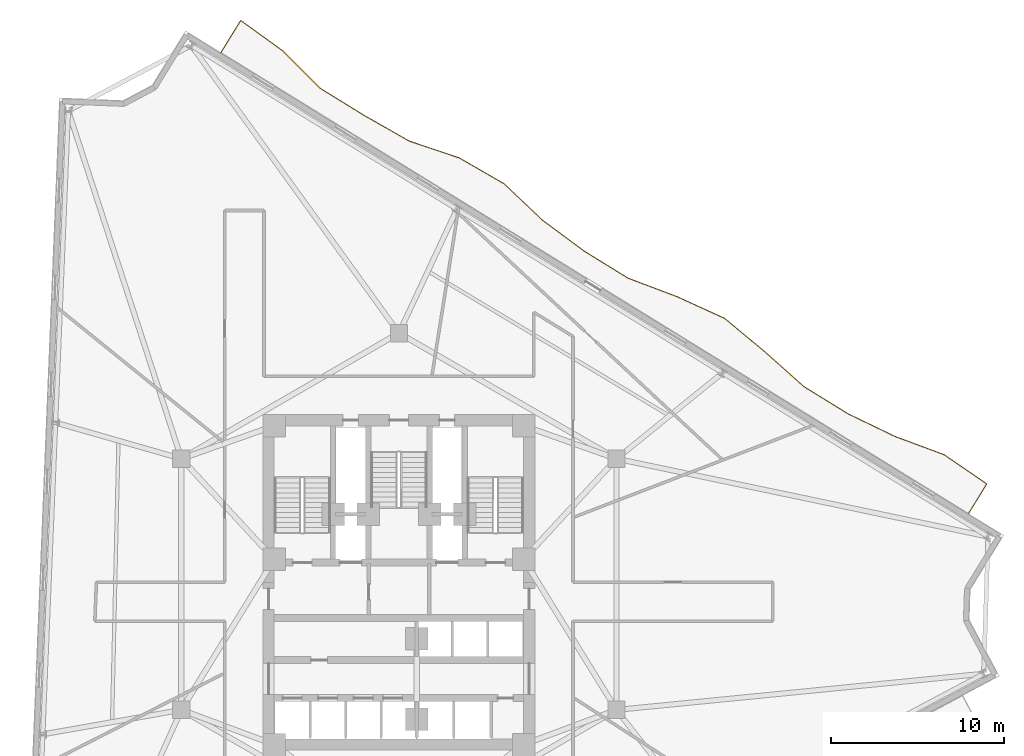
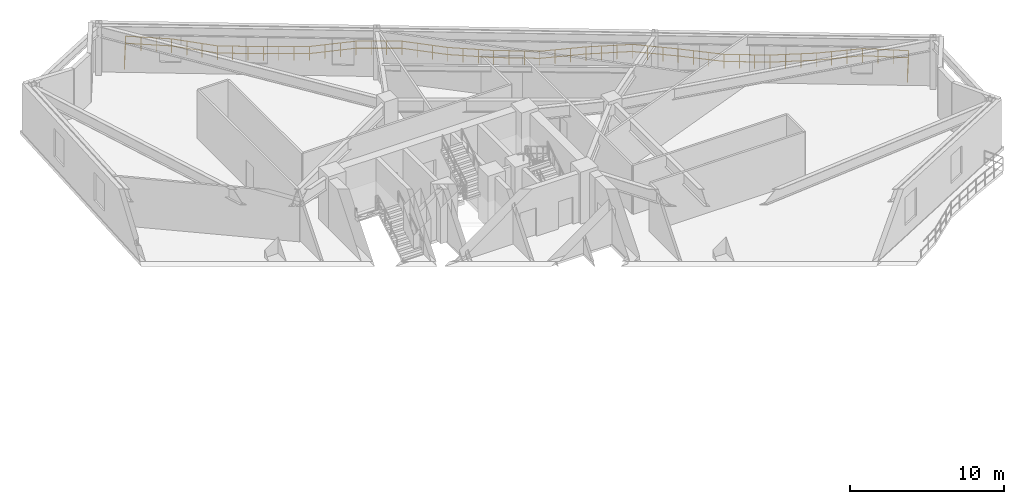
# One storey, part 11 of 11: 1 railing.
"""IFC4 building model written with IfcOpenShell, lengths in metres."""

from ifc_helpers import new_model, si_unit, direction, frame, origin, origin_2d, place, context, subcontext, project, spatial, rectangle, extrude, material, type_object, element, save


model = new_model("IFC4")

# Units and contexts
model_context = context("Model", 3, precision=1e-05, world=origin(), true_north=direction((0.0, 1.0)))
body_context = subcontext(model_context, "Body", "Model", "MODEL_VIEW")
ifc_project = project(units=[si_unit("LENGTHUNIT", "METRE"), si_unit("AREAUNIT", "SQUARE_METRE"), si_unit("VOLUMEUNIT", "CUBIC_METRE"), si_unit("PLANEANGLEUNIT", "RADIAN"), si_unit("MASSUNIT", "GRAM", prefix="KILO")], contexts=[model_context])

# Site, building, storey
site_placement = place(None, origin())
site = spatial("IfcSite", under=ifc_project, at=site_placement, CompositionType="ELEMENT")
building_placement = place(site_placement, origin())
building = spatial("IfcBuilding", under=site, at=building_placement, Name="Apsidion Concourse Tower", CompositionType="ELEMENT")
storey_placement = place(building_placement, frame((0.0, 0.0, 186.0)))
storey = spatial("IfcBuildingStorey", under=building, at=storey_placement, Name="L43", CompositionType="ELEMENT", Elevation=186.0)

# Railing
ifc_material = material(Name="Brushed stainless steel 316", Category="steel")
railing_type = type_object("IfcRailingType", Name="RL-BAL-1120", PredefinedType="BALUSTRADE", material=ifc_material)
railing_placement = place(storey_placement, frame((-10.277587890625, 30.70458984375, 0.0)))
element("IfcRailing", 1, at=railing_placement, inside=storey, type_object=railing_type, Name="L43 Face 3 Rippling Balcony Balustrade", PredefinedType="BALUSTRADE", context=body_context, shape_type="SweptSolid", body=[
    extrude(rectangle(XDim=0.048095703125, YDim=0.048095703125, at=origin_2d()), frame((0.0, 0.0, 1.09619140625), z_axis=(0.524923945921, 0.85114913558, 0.0), x_axis=(-0.85114913558, 0.524923945921, 0.0)), (0.0, 0.0, 1.0), 2.1748046875),
    extrude(rectangle(XDim=0.048095703125, YDim=0.048095703125, at=origin_2d()), frame((0.0, 0.0, 0.5361328125), z_axis=(0.524923945921, 0.85114913558, 0.0), x_axis=(-0.85114913558, 0.524923945921, 0.0)), (0.0, 0.0, 1.0), 2.1748046875),
    extrude(rectangle(XDim=0.048095703125, YDim=0.048095703125, at=origin_2d()), frame((1.1416015625, 1.85107421875, 1.09619140625), z_axis=(0.810827725305, -0.585284887792, 0.0), x_axis=(0.585284887792, 0.810827725305, 0.0)), (0.0, 0.0, 1.0), 2.99072265625),
    extrude(rectangle(XDim=0.048095703125, YDim=0.048095703125, at=origin_2d()), frame((1.1416015625, 1.85107421875, 0.5361328125), z_axis=(0.810827725305, -0.585284887792, 0.0), x_axis=(0.585284887792, 0.810827725305, 0.0)), (0.0, 0.0, 1.0), 2.99072265625),
    extrude(rectangle(XDim=0.048095703125, YDim=0.048095703125, at=origin_2d()), frame((3.566650390625, 0.1005859375, 1.09619140625), z_axis=(0.70698732066, -0.707226221534, 0.0), x_axis=(0.707226221534, 0.70698732066, 0.0)), (0.0, 0.0, 1.0), 3.06591796875),
    extrude(rectangle(XDim=0.048095703125, YDim=0.048095703125, at=origin_2d()), frame((3.566650390625, 0.1005859375, 0.5361328125), z_axis=(0.70698732066, -0.707226221534, 0.0), x_axis=(0.707226221534, 0.70698732066, 0.0)), (0.0, 0.0, 1.0), 3.06591796875),
    extrude(rectangle(XDim=0.048095703125, YDim=0.048095703125, at=origin_2d()), frame((5.734130859375, -2.067626953125, 1.09619140625), z_axis=(0.851183058053, -0.524868937625, 0.0), x_axis=(0.524868937625, 0.851183058053, 0.0)), (0.0, 0.0, 1.0), 2.98291015625),
    extrude(rectangle(XDim=0.048095703125, YDim=0.048095703125, at=origin_2d()), frame((5.734130859375, -2.067626953125, 0.5361328125), z_axis=(0.851183058053, -0.524868937625, 0.0), x_axis=(0.524868937625, 0.851183058053, 0.0)), (0.0, 0.0, 1.0), 2.98291015625),
    extrude(rectangle(XDim=0.048095703125, YDim=0.048095703125, at=origin_2d()), frame((8.273193359375, -3.63330078125, 1.09619140625), z_axis=(0.868977075287, -0.494852344266, 0.0), x_axis=(0.494852344266, 0.868977075287, 0.0)), (0.0, 0.0, 1.0), 2.98486328125),
    extrude(rectangle(XDim=0.048095703125, YDim=0.048095703125, at=origin_2d()), frame((8.273193359375, -3.63330078125, 0.5361328125), z_axis=(0.868977075287, -0.494852344266, 0.0), x_axis=(0.494852344266, 0.868977075287, 0.0)), (0.0, 0.0, 1.0), 2.98486328125),
    extrude(rectangle(XDim=0.048095703125, YDim=0.048095703125, at=origin_2d()), frame((10.866943359375, -5.1103515625, 1.09619140625), z_axis=(0.947609390008, -0.319431438604, 0.0), x_axis=(0.319431438604, 0.947609390008, 0.0)), (0.0, 0.0, 1.0), 3.061767578125),
    extrude(rectangle(XDim=0.048095703125, YDim=0.048095703125, at=origin_2d()), frame((10.866943359375, -5.1103515625, 0.5361328125), z_axis=(0.947609390008, -0.319431438604, 0.0), x_axis=(0.319431438604, 0.947609390008, 0.0)), (0.0, 0.0, 1.0), 3.061767578125),
    extrude(rectangle(XDim=0.048095703125, YDim=0.048095703125, at=origin_2d()), frame((13.768310546875, -6.08837890625, 1.09619140625), z_axis=(0.865907597067, -0.50020399173, 0.0), x_axis=(0.50020399173, 0.865907597067, 0.0)), (0.0, 0.0, 1.0), 2.984130859375),
    extrude(rectangle(XDim=0.048095703125, YDim=0.048095703125, at=origin_2d()), frame((13.768310546875, -6.08837890625, 0.5361328125), z_axis=(0.865907597067, -0.50020399173, 0.0), x_axis=(0.50020399173, 0.865907597067, 0.0)), (0.0, 0.0, 1.0), 2.984130859375),
    extrude(rectangle(XDim=0.048095703125, YDim=0.048095703125, at=origin_2d()), frame((16.352294921875, -7.5810546875, 1.09619140625), z_axis=(0.725643160725, -0.688071219637, 0.0), x_axis=(0.688071219637, 0.725643160725, 0.0)), (0.0, 0.0, 1.0), 3.047607421875),
    extrude(rectangle(XDim=0.048095703125, YDim=0.048095703125, at=origin_2d()), frame((16.352294921875, -7.5810546875, 0.5361328125), z_axis=(0.725643160725, -0.688071219637, 0.0), x_axis=(0.688071219637, 0.725643160725, 0.0)), (0.0, 0.0, 1.0), 3.047607421875),
    extrude(rectangle(XDim=0.048095703125, YDim=0.048095703125, at=origin_2d()), frame((18.563720703125, -9.677978515625, 1.09619140625), z_axis=(0.803071595872, -0.595882548749, 0.0), x_axis=(0.595882548749, 0.803071595872, 0.0)), (0.0, 0.0, 1.0), 2.994140625),
    extrude(rectangle(XDim=0.048095703125, YDim=0.048095703125, at=origin_2d()), frame((18.563720703125, -9.677978515625, 0.5361328125), z_axis=(0.803071595872, -0.595882548749, 0.0), x_axis=(0.595882548749, 0.803071595872, 0.0)), (0.0, 0.0, 1.0), 2.994140625),
    extrude(rectangle(XDim=0.048095703125, YDim=0.048095703125, at=origin_2d()), frame((20.96826171875, -11.462158203125, 1.09619140625), z_axis=(0.851160508561, -0.52490550451, 0.0), x_axis=(0.52490550451, 0.851160508561, 0.0)), (0.0, 0.0, 1.0), 2.982666015625),
    extrude(rectangle(XDim=0.048095703125, YDim=0.048095703125, at=origin_2d()), frame((20.96826171875, -11.462158203125, 0.5361328125), z_axis=(0.851160508561, -0.52490550451, 0.0), x_axis=(0.52490550451, 0.851160508561, 0.0)), (0.0, 0.0, 1.0), 2.982666015625),
    extrude(rectangle(XDim=0.048095703125, YDim=0.048095703125, at=origin_2d()), frame((23.507080078125, -13.02783203125, 1.09619140625), z_axis=(0.935321475123, -0.353799008159, 0.0), x_axis=(0.353799008159, 0.935321475123, 0.0)), (0.0, 0.0, 1.0), 3.038330078125),
    extrude(rectangle(XDim=0.048095703125, YDim=0.048095703125, at=origin_2d()), frame((23.507080078125, -13.02783203125, 0.5361328125), z_axis=(0.935321475123, -0.353799008159, 0.0), x_axis=(0.353799008159, 0.935321475123, 0.0)), (0.0, 0.0, 1.0), 3.038330078125),
    extrude(rectangle(XDim=0.048095703125, YDim=0.048095703125, at=origin_2d()), frame((26.348876953125, -14.102783203125, 1.09619140625), z_axis=(0.909703344445, -0.415258744768, 0.0), x_axis=(0.415258744768, 0.909703344445, 0.0)), (0.0, 0.0, 1.0), 3.006103515625),
    extrude(rectangle(XDim=0.048095703125, YDim=0.048095703125, at=origin_2d()), frame((26.348876953125, -14.102783203125, 0.5361328125), z_axis=(0.909703344445, -0.415258744768, 0.0), x_axis=(0.415258744768, 0.909703344445, 0.0)), (0.0, 0.0, 1.0), 3.006103515625),
    extrude(rectangle(XDim=0.048095703125, YDim=0.048095703125, at=origin_2d()), frame((29.08349609375, -15.35107421875, 1.09619140625), z_axis=(0.769435432617, -0.638724600304, 0.0), x_axis=(0.638724600304, 0.769435432617, 0.0)), (0.0, 0.0, 1.0), 3.0126953125),
    extrude(rectangle(XDim=0.048095703125, YDim=0.048095703125, at=origin_2d()), frame((29.08349609375, -15.35107421875, 0.5361328125), z_axis=(0.769435432617, -0.638724600304, 0.0), x_axis=(0.638724600304, 0.769435432617, 0.0)), (0.0, 0.0, 1.0), 3.0126953125),
    extrude(rectangle(XDim=0.048095703125, YDim=0.048095703125, at=origin_2d()), frame((31.401611328125, -17.275390625, 1.09619140625), z_axis=(0.746559394399, -0.665318773698, 0.0), x_axis=(0.665318773698, 0.746559394399, 0.0)), (0.0, 0.0, 1.0), 3.029296875),
    extrude(rectangle(XDim=0.048095703125, YDim=0.048095703125, at=origin_2d()), frame((31.401611328125, -17.275390625, 0.5361328125), z_axis=(0.746559394399, -0.665318773698, 0.0), x_axis=(0.665318773698, 0.746559394399, 0.0)), (0.0, 0.0, 1.0), 3.029296875),
    extrude(rectangle(XDim=0.048095703125, YDim=0.048095703125, at=origin_2d()), frame((33.6630859375, -19.290771484375, 1.09619140625), z_axis=(0.851146492736, -0.524928231193, 0.0), x_axis=(0.524928231193, 0.851146492736, 0.0)), (0.0, 0.0, 1.0), 2.983154296875),
    extrude(rectangle(XDim=0.048095703125, YDim=0.048095703125, at=origin_2d()), frame((33.6630859375, -19.290771484375, 0.5361328125), z_axis=(0.851146492736, -0.524928231193, 0.0), x_axis=(0.524928231193, 0.851146492736, 0.0)), (0.0, 0.0, 1.0), 2.983154296875),
    extrude(rectangle(XDim=0.048095703125, YDim=0.048095703125, at=origin_2d()), frame((36.2021484375, -20.856689453125, 1.09619140625), z_axis=(0.900671405598, -0.434500885083, 0.0), x_axis=(0.434500885083, 0.900671405598, 0.0)), (0.0, 0.0, 1.0), 2.998779296875),
    extrude(rectangle(XDim=0.048095703125, YDim=0.048095703125, at=origin_2d()), frame((36.2021484375, -20.856689453125, 0.5361328125), z_axis=(0.900671405598, -0.434500885083, 0.0), x_axis=(0.434500885083, 0.900671405598, 0.0)), (0.0, 0.0, 1.0), 2.998779296875),
    extrude(rectangle(XDim=0.048095703125, YDim=0.048095703125, at=origin_2d()), frame((38.903076171875, -22.15966796875, 1.09619140625), z_axis=(0.937246252161, -0.348668127035, 0.0), x_axis=(0.348668127035, 0.937246252161, 0.0)), (0.0, 0.0, 1.0), 3.041748046875),
    extrude(rectangle(XDim=0.048095703125, YDim=0.048095703125, at=origin_2d()), frame((38.903076171875, -22.15966796875, 0.5361328125), z_axis=(0.937246252161, -0.348668127035, 0.0), x_axis=(0.348668127035, 0.937246252161, 0.0)), (0.0, 0.0, 1.0), 3.041748046875),
    extrude(rectangle(XDim=0.048095703125, YDim=0.048095703125, at=origin_2d()), frame((41.75390625, -23.22021484375, 1.09619140625), z_axis=(0.825118705204, -0.564959398827, 0.0), x_axis=(0.564959398827, 0.825118705204, 0.0)), (0.0, 0.0, 1.0), 2.986083984375),
    extrude(rectangle(XDim=0.048095703125, YDim=0.048095703125, at=origin_2d()), frame((41.75390625, -23.22021484375, 0.5361328125), z_axis=(0.825118705204, -0.564959398827, 0.0), x_axis=(0.564959398827, 0.825118705204, 0.0)), (0.0, 0.0, 1.0), 2.986083984375),
    extrude(rectangle(XDim=0.048095703125, YDim=0.048095703125, at=origin_2d()), frame((44.2177734375, -24.9072265625, 1.09619140625), z_axis=(-0.524802154457, -0.85122423525, 0.0), x_axis=(0.85122423525, -0.524802154457, 0.0)), (0.0, 0.0, 1.0), 2.009765625),
    extrude(rectangle(XDim=0.048095703125, YDim=0.048095703125, at=origin_2d()), frame((44.2177734375, -24.9072265625, 0.5361328125), z_axis=(-0.524802154457, -0.85122423525, 0.0), x_axis=(0.85122423525, -0.524802154457, 0.0)), (0.0, 0.0, 1.0), 2.009765625),
    extrude(rectangle(XDim=0.0419921875, YDim=0.0419921875, at=origin_2d()), origin(), (0.0, 0.0, 1.0), 1.072021484375),
    extrude(rectangle(XDim=0.0419921875, YDim=0.0419921875, at=origin_2d()), frame((0.57080078125, 0.925537109375, 0.0)), (0.0, 0.0, 1.0), 1.072021484375),
    extrude(rectangle(XDim=0.0419921875, YDim=0.0419921875, at=origin_2d()), frame((1.1416015625, 1.85107421875, 0.0)), (0.0, 0.0, 1.0), 1.072021484375),
    extrude(rectangle(XDim=0.0419921875, YDim=0.0419921875, at=origin_2d()), frame((1.949951171875, 1.267578125, 0.0)), (0.0, 0.0, 1.0), 1.072021484375),
    extrude(rectangle(XDim=0.0419921875, YDim=0.0419921875, at=origin_2d()), frame((2.75830078125, 0.68408203125, 0.0)), (0.0, 0.0, 1.0), 1.072021484375),
    extrude(rectangle(XDim=0.0419921875, YDim=0.0419921875, at=origin_2d()), frame((3.566650390625, 0.1005859375, 0.0)), (0.0, 0.0, 1.0), 1.072021484375),
    extrude(rectangle(XDim=0.0419921875, YDim=0.0419921875, at=origin_2d()), frame((4.2890625, -0.6220703125, 0.0)), (0.0, 0.0, 1.0), 1.072021484375),
    extrude(rectangle(XDim=0.0419921875, YDim=0.0419921875, at=origin_2d()), frame((5.01171875, -1.344970703125, 0.0)), (0.0, 0.0, 1.0), 1.072021484375),
    extrude(rectangle(XDim=0.0419921875, YDim=0.0419921875, at=origin_2d()), frame((5.734130859375, -2.067626953125, 0.0)), (0.0, 0.0, 1.0), 1.072021484375),
    extrude(rectangle(XDim=0.0419921875, YDim=0.0419921875, at=origin_2d()), frame((6.58056640625, -2.589599609375, 0.0)), (0.0, 0.0, 1.0), 1.072021484375),
    extrude(rectangle(XDim=0.0419921875, YDim=0.0419921875, at=origin_2d()), frame((7.4267578125, -3.111328125, 0.0)), (0.0, 0.0, 1.0), 1.072021484375),
    extrude(rectangle(XDim=0.0419921875, YDim=0.0419921875, at=origin_2d()), frame((8.273193359375, -3.63330078125, 0.0)), (0.0, 0.0, 1.0), 1.072021484375),
    extrude(rectangle(XDim=0.0419921875, YDim=0.0419921875, at=origin_2d()), frame((9.1376953125, -4.125732421875, 0.0)), (0.0, 0.0, 1.0), 1.072021484375),
    extrude(rectangle(XDim=0.0419921875, YDim=0.0419921875, at=origin_2d()), frame((10.00244140625, -4.617919921875, 0.0)), (0.0, 0.0, 1.0), 1.072021484375),
    extrude(rectangle(XDim=0.0419921875, YDim=0.0419921875, at=origin_2d()), frame((10.866943359375, -5.1103515625, 0.0)), (0.0, 0.0, 1.0), 1.072021484375),
    extrude(rectangle(XDim=0.0419921875, YDim=0.0419921875, at=origin_2d()), frame((11.833984375, -5.436279296875, 0.0)), (0.0, 0.0, 1.0), 1.072021484375),
    extrude(rectangle(XDim=0.0419921875, YDim=0.0419921875, at=origin_2d()), frame((12.80126953125, -5.762451171875, 0.0)), (0.0, 0.0, 1.0), 1.072021484375),
    extrude(rectangle(XDim=0.0419921875, YDim=0.0419921875, at=origin_2d()), frame((13.768310546875, -6.08837890625, 0.0)), (0.0, 0.0, 1.0), 1.072021484375),
    extrude(rectangle(XDim=0.0419921875, YDim=0.0419921875, at=origin_2d()), frame((14.629638671875, -6.5859375, 0.0)), (0.0, 0.0, 1.0), 1.072021484375),
    extrude(rectangle(XDim=0.0419921875, YDim=0.0419921875, at=origin_2d()), frame((15.490966796875, -7.08349609375, 0.0)), (0.0, 0.0, 1.0), 1.072021484375),
    extrude(rectangle(XDim=0.0419921875, YDim=0.0419921875, at=origin_2d()), frame((16.352294921875, -7.5810546875, 0.0)), (0.0, 0.0, 1.0), 1.072021484375),
    extrude(rectangle(XDim=0.0419921875, YDim=0.0419921875, at=origin_2d()), frame((17.08935546875, -8.280029296875, 0.0)), (0.0, 0.0, 1.0), 1.072021484375),
    extrude(rectangle(XDim=0.0419921875, YDim=0.0419921875, at=origin_2d()), frame((17.82666015625, -8.97900390625, 0.0)), (0.0, 0.0, 1.0), 1.072021484375),
    extrude(rectangle(XDim=0.0419921875, YDim=0.0419921875, at=origin_2d()), frame((18.563720703125, -9.677978515625, 0.0)), (0.0, 0.0, 1.0), 1.072021484375),
    extrude(rectangle(XDim=0.0419921875, YDim=0.0419921875, at=origin_2d()), frame((19.365234375, -10.272705078125, 0.0)), (0.0, 0.0, 1.0), 1.072021484375),
    extrude(rectangle(XDim=0.0419921875, YDim=0.0419921875, at=origin_2d()), frame((20.166748046875, -10.867431640625, 0.0)), (0.0, 0.0, 1.0), 1.072021484375),
    extrude(rectangle(XDim=0.0419921875, YDim=0.0419921875, at=origin_2d()), frame((20.96826171875, -11.462158203125, 0.0)), (0.0, 0.0, 1.0), 1.072021484375),
    extrude(rectangle(XDim=0.0419921875, YDim=0.0419921875, at=origin_2d()), frame((21.814453125, -11.984130859375, 0.0)), (0.0, 0.0, 1.0), 1.072021484375),
    extrude(rectangle(XDim=0.0419921875, YDim=0.0419921875, at=origin_2d()), frame((22.660888671875, -12.505859375, 0.0)), (0.0, 0.0, 1.0), 1.072021484375),
    extrude(rectangle(XDim=0.0419921875, YDim=0.0419921875, at=origin_2d()), frame((23.507080078125, -13.02783203125, 0.0)), (0.0, 0.0, 1.0), 1.072021484375),
    extrude(rectangle(XDim=0.0419921875, YDim=0.0419921875, at=origin_2d()), frame((24.454345703125, -13.38623046875, 0.0)), (0.0, 0.0, 1.0), 1.072021484375),
    extrude(rectangle(XDim=0.0419921875, YDim=0.0419921875, at=origin_2d()), frame((25.401611328125, -13.744384765625, 0.0)), (0.0, 0.0, 1.0), 1.072021484375),
    extrude(rectangle(XDim=0.0419921875, YDim=0.0419921875, at=origin_2d()), frame((26.348876953125, -14.102783203125, 0.0)), (0.0, 0.0, 1.0), 1.072021484375),
    extrude(rectangle(XDim=0.0419921875, YDim=0.0419921875, at=origin_2d()), frame((27.260498046875, -14.518798828125, 0.0)), (0.0, 0.0, 1.0), 1.072021484375),
    extrude(rectangle(XDim=0.0419921875, YDim=0.0419921875, at=origin_2d()), frame((28.171875, -14.93505859375, 0.0)), (0.0, 0.0, 1.0), 1.072021484375),
    extrude(rectangle(XDim=0.0419921875, YDim=0.0419921875, at=origin_2d()), frame((29.08349609375, -15.35107421875, 0.0)), (0.0, 0.0, 1.0), 1.072021484375),
    extrude(rectangle(XDim=0.0419921875, YDim=0.0419921875, at=origin_2d()), frame((29.856201171875, -15.992431640625, 0.0)), (0.0, 0.0, 1.0), 1.072021484375),
    extrude(rectangle(XDim=0.0419921875, YDim=0.0419921875, at=origin_2d()), frame((30.62890625, -16.634033203125, 0.0)), (0.0, 0.0, 1.0), 1.072021484375),
    extrude(rectangle(XDim=0.0419921875, YDim=0.0419921875, at=origin_2d()), frame((31.401611328125, -17.275390625, 0.0)), (0.0, 0.0, 1.0), 1.072021484375),
    extrude(rectangle(XDim=0.0419921875, YDim=0.0419921875, at=origin_2d()), frame((32.155517578125, -17.947265625, 0.0)), (0.0, 0.0, 1.0), 1.072021484375),
    extrude(rectangle(XDim=0.0419921875, YDim=0.0419921875, at=origin_2d()), frame((32.9091796875, -18.618896484375, 0.0)), (0.0, 0.0, 1.0), 1.072021484375),
    extrude(rectangle(XDim=0.0419921875, YDim=0.0419921875, at=origin_2d()), frame((33.6630859375, -19.290771484375, 0.0)), (0.0, 0.0, 1.0), 1.072021484375),
    extrude(rectangle(XDim=0.0419921875, YDim=0.0419921875, at=origin_2d()), frame((34.509521484375, -19.812744140625, 0.0)), (0.0, 0.0, 1.0), 1.072021484375),
    extrude(rectangle(XDim=0.0419921875, YDim=0.0419921875, at=origin_2d()), frame((35.355712890625, -20.334716796875, 0.0)), (0.0, 0.0, 1.0), 1.072021484375),
    extrude(rectangle(XDim=0.0419921875, YDim=0.0419921875, at=origin_2d()), frame((36.2021484375, -20.856689453125, 0.0)), (0.0, 0.0, 1.0), 1.072021484375),
    extrude(rectangle(XDim=0.0419921875, YDim=0.0419921875, at=origin_2d()), frame((37.1025390625, -21.291015625, 0.0)), (0.0, 0.0, 1.0), 1.072021484375),
    extrude(rectangle(XDim=0.0419921875, YDim=0.0419921875, at=origin_2d()), frame((38.002685546875, -21.725341796875, 0.0)), (0.0, 0.0, 1.0), 1.072021484375),
    extrude(rectangle(XDim=0.0419921875, YDim=0.0419921875, at=origin_2d()), frame((38.903076171875, -22.15966796875, 0.0)), (0.0, 0.0, 1.0), 1.072021484375),
    extrude(rectangle(XDim=0.0419921875, YDim=0.0419921875, at=origin_2d()), frame((39.853271484375, -22.51318359375, 0.0)), (0.0, 0.0, 1.0), 1.072021484375),
    extrude(rectangle(XDim=0.0419921875, YDim=0.0419921875, at=origin_2d()), frame((40.8037109375, -22.86669921875, 0.0)), (0.0, 0.0, 1.0), 1.072021484375),
    extrude(rectangle(XDim=0.0419921875, YDim=0.0419921875, at=origin_2d()), frame((41.75390625, -23.22021484375, 0.0)), (0.0, 0.0, 1.0), 1.072021484375),
    extrude(rectangle(XDim=0.0419921875, YDim=0.0419921875, at=origin_2d()), frame((42.5751953125, -23.782470703125, 0.0)), (0.0, 0.0, 1.0), 1.072021484375),
    extrude(rectangle(XDim=0.0419921875, YDim=0.0419921875, at=origin_2d()), frame((43.396484375, -24.344970703125, 0.0)), (0.0, 0.0, 1.0), 1.072021484375),
    extrude(rectangle(XDim=0.0419921875, YDim=0.0419921875, at=origin_2d()), frame((44.2177734375, -24.9072265625, 0.0)), (0.0, 0.0, 1.0), 1.072021484375),
    extrude(rectangle(XDim=0.0419921875, YDim=0.0419921875, at=origin_2d()), frame((43.6904296875, -25.7626953125, 0.0)), (0.0, 0.0, 1.0), 1.072021484375),
    extrude(rectangle(XDim=0.0419921875, YDim=0.0419921875, at=origin_2d()), frame((43.1630859375, -26.617919921875, 0.0)), (0.0, 0.0, 1.0), 1.072021484375),
])

save(model, "model.ifc")
